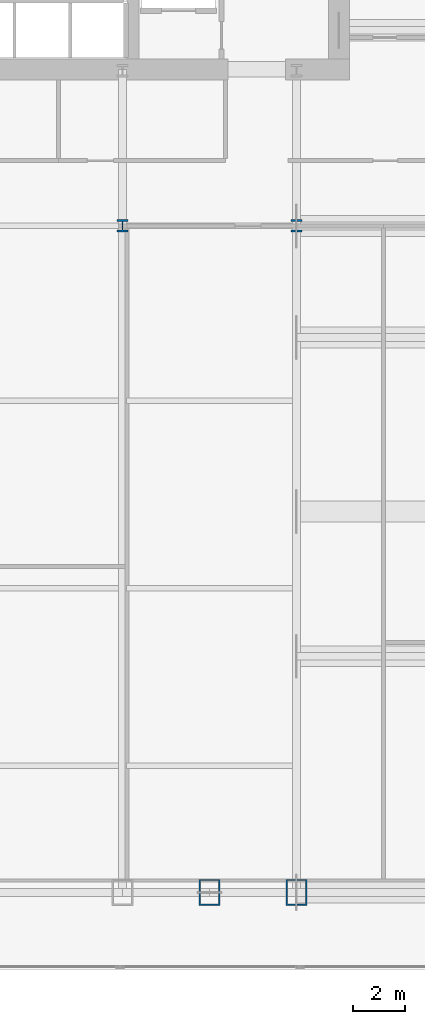
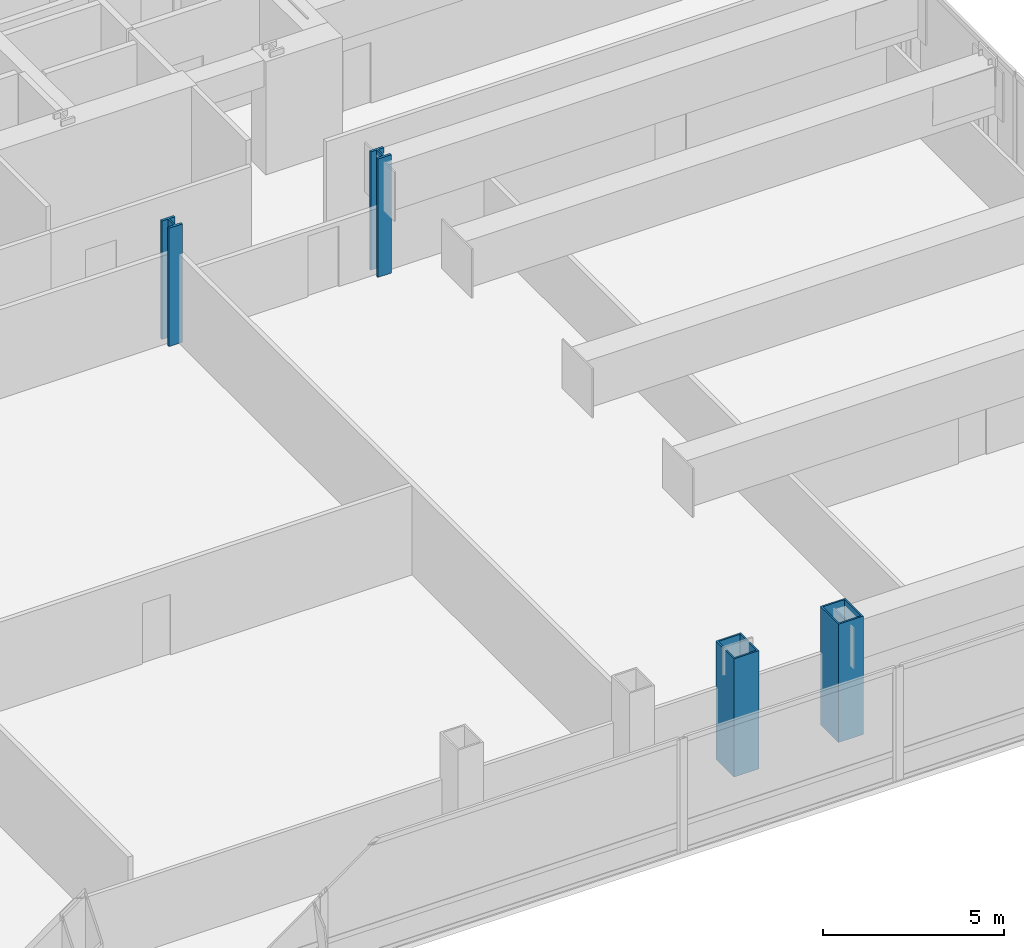
# One storey, part 2 of 32: 4 columns.
"""IFC4 building model written with IfcOpenShell, lengths in metres."""

from ifc_helpers import new_model, si_unit, direction, frame, origin, origin_2d, place, context, subcontext, project, spatial, hollow_rectangle, i_section, extrude, material, material_profile, profile_set, type_object, element, save


model = new_model("IFC4")

# Units and contexts
model_context = context("Model", 3, precision=1e-05, world=origin(), true_north=direction((0.0, 1.0)))
body_context = subcontext(model_context, "Body", "Model", "MODEL_VIEW")
ifc_project = project(units=[si_unit("LENGTHUNIT", "METRE"), si_unit("AREAUNIT", "SQUARE_METRE"), si_unit("VOLUMEUNIT", "CUBIC_METRE"), si_unit("PLANEANGLEUNIT", "RADIAN"), si_unit("MASSUNIT", "GRAM", prefix="KILO")], contexts=[model_context])

# Site, building, storey
site_placement = place(None, origin())
site = spatial("IfcSite", under=ifc_project, at=site_placement, CompositionType="ELEMENT")
building_placement = place(site_placement, origin())
building = spatial("IfcBuilding", under=site, at=building_placement, Name="Khoronbel Lancet Exchange", CompositionType="ELEMENT")
storey_placement = place(building_placement, frame((0.0, 0.0, 77.800048828125)))
storey = spatial("IfcBuildingStorey", under=building, at=storey_placement, Name="L18", CompositionType="ELEMENT", Elevation=77.800048828125)

# Columns
ifc_material = material(Name="Steel S460", Category="steel")
ifc_material_profile_1 = material_profile(ifc_material, hollow_rectangle(XDim=0.800048828125, YDim=1.0, WallThickness=0.054931640625, at=origin_2d()), Name="BOX 1000x800x55")
ifc_profile_set_1 = profile_set([ifc_material_profile_1], Name="Steel S460")
column_type_1 = type_object("IfcColumnType", Name="COL-EC1", PredefinedType="COLUMN", material=ifc_profile_set_1)
for number, where, z_axis, x_axis, name in (
    (1, (51.33740234375, 10.14990234375, 0.0), (0.0, 0.0, 1.0), (1.0, 0.0, 0.0), "Structural column SC-EM L18"),
    (2, (54.675048828125, 10.14990234375, 0.0), (0.0, 0.0, 1.0), (1.0, 0.0, 0.0), "Structural column SC-E2 L18"),
):
    element("IfcColumn", number, at=place(storey_placement, frame(where, z_axis=z_axis, x_axis=x_axis)), inside=storey, type_object=column_type_1, Name=name, PredefinedType="COLUMN", context=body_context, shape_type="SweptSolid", body=[
        extrude(hollow_rectangle(XDim=0.800048828125, YDim=1.0, WallThickness=0.054931640625, at=origin_2d()), origin(), (0.0, 0.0, 1.0), 4.0),
    ])
ifc_material_profile_2 = material_profile(ifc_material, i_section(OverallWidth=0.424072265625, OverallDepth=0.47412109375, WebThickness=0.047607421875, FlangeThickness=0.076904296875, at=origin_2d()), Name="HD 400x634")
ifc_profile_set_2 = profile_set([ifc_material_profile_2], Name="Steel S460")
column_type_2 = type_object("IfcColumnType", Name="COL-IC1", PredefinedType="COLUMN", material=ifc_profile_set_2)
for number, where, z_axis, x_axis, name in (
    (3, (48.0, 35.699951171875, 0.0), (0.0, 0.0, 1.0), (1.0, 0.0, 0.0), "Spine gravity column TC3 L18"),
    (4, (54.675048828125, 35.699951171875, 0.0), (0.0, 0.0, 1.0), (1.0, 0.0, 0.0), "Spine gravity column TC4 L18"),
):
    element("IfcColumn", number, at=place(storey_placement, frame(where, z_axis=z_axis, x_axis=x_axis)), inside=storey, type_object=column_type_2, Name=name, PredefinedType="COLUMN", context=body_context, shape_type="SweptSolid", body=[
        extrude(i_section(OverallWidth=0.424072265625, OverallDepth=0.47412109375, WebThickness=0.047607421875, FlangeThickness=0.076904296875, at=origin_2d()), origin(), (0.0, 0.0, 1.0), 4.0),
    ])

save(model, "model.ifc")
